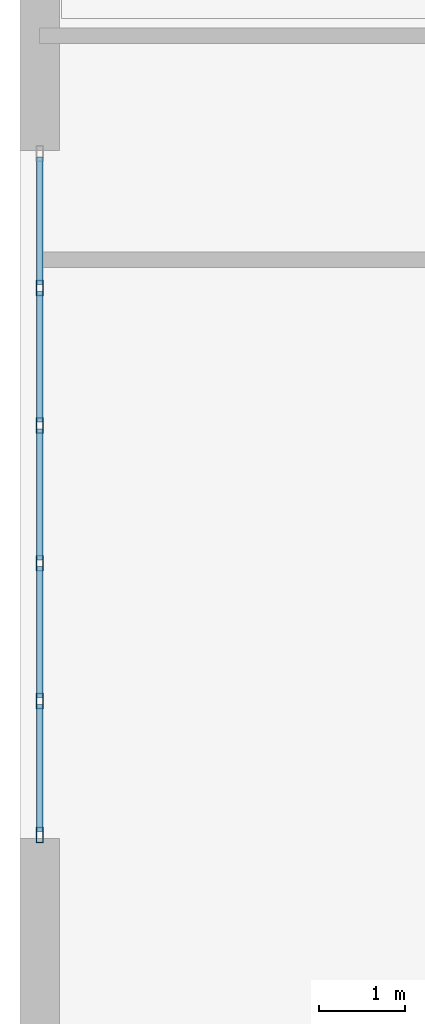
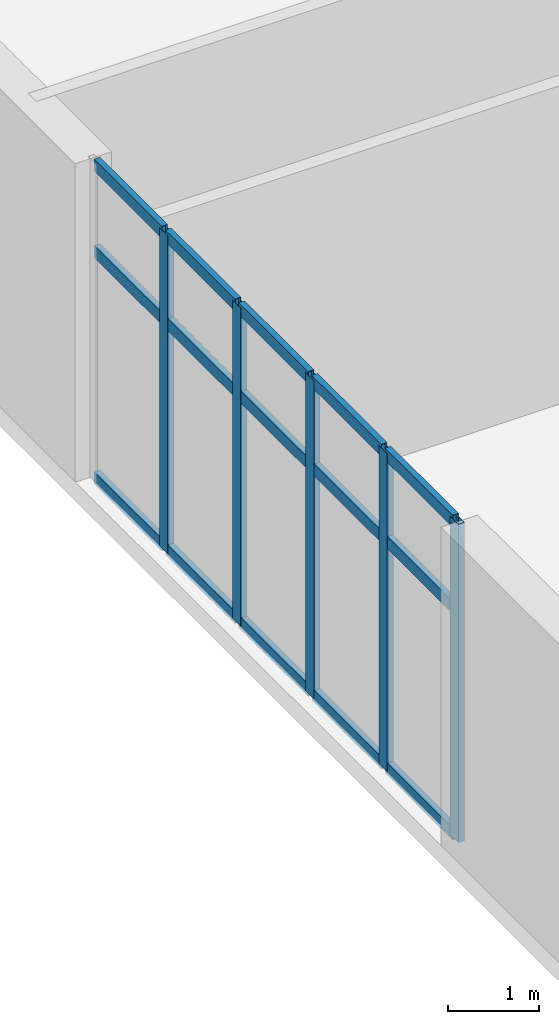
# One storey, part 6 of 29: 20 members, 1 element without a shape of its own.
"""IFC4 building model written with IfcOpenShell, lengths in metres."""

from ifc_helpers import new_model, si_unit, direction, frame, origin, origin_2d, place, context, subcontext, project, spatial, hollow_rectangle, extrude, source, transform, mapped, material, layer, layer_set, material_profile, profile_set, type_object, element, aggregate, save


model = new_model("IFC4")

# Units and contexts
model_context = context("Model", 3, precision=1e-05, world=origin(), true_north=direction((0.0, 1.0)))
body_context = subcontext(model_context, "Body", "Model", "MODEL_VIEW")
ifc_project = project(units=[si_unit("LENGTHUNIT", "METRE"), si_unit("AREAUNIT", "SQUARE_METRE"), si_unit("VOLUMEUNIT", "CUBIC_METRE"), si_unit("PLANEANGLEUNIT", "RADIAN"), si_unit("MASSUNIT", "GRAM", prefix="KILO")], contexts=[model_context])

# Site, building, storey
site_placement = place(None, origin())
site = spatial("IfcSite", under=ifc_project, at=site_placement, CompositionType="ELEMENT")
building_placement = place(site_placement, origin())
building = spatial("IfcBuilding", under=site, at=building_placement, Name="Liaohun Quay Tower", CompositionType="ELEMENT")
storey_placement = place(building_placement, frame((0.0, 0.0, 5.39990234375)))
storey = spatial("IfcBuildingStorey", under=building, at=storey_placement, Name="L02", CompositionType="ELEMENT", Elevation=5.39990234375)

# Curtain wall, members
ifc_material_1 = material(Name="Thermally broken podium arcade storefront curtain wall")
ifc_layer = layer(ifc_material_1, 0.179931640625, Name="Thermally broken podium arcade storefront curtain wall")
ifc_layer_set = layer_set([ifc_layer], Name="Thermally broken podium arcade storefront curtain wall")
curtain_wall_type = type_object("IfcCurtainWallType", Name="CW-POD-RET", PredefinedType="NOTDEFINED", material=ifc_layer_set)
curtain_wall_placement = place(storey_placement, origin())
curtain_wall = element("IfcCurtainWall", 1, at=curtain_wall_placement, inside=storey, type_object=curtain_wall_type, Name="L02 Podium Arcade Storefront CW2-W2", PredefinedType="NOTDEFINED")
ifc_material_2 = material(Name="Anodised aluminium 6063-T6", Category="aluminium")
ifc_material_profile_1 = material_profile(ifc_material_2, hollow_rectangle(XDim=0.074951171875, YDim=0.159912109375, WallThickness=0.0048828125, at=origin_2d()), Name="RHS160x75x5")
ifc_profile_set_1 = profile_set([ifc_material_profile_1], Name="Anodised aluminium 6063-T6")
member_type_1 = type_object("IfcMemberType", Name="MEM-CWT-POD", PredefinedType="USERDEFINED", material=ifc_profile_set_1)
shared_shape_1 = source(origin(), body_context, "Body", "SweptSolid", [
    extrude(hollow_rectangle(XDim=0.074951171875, YDim=0.159912109375, WallThickness=0.0048828125, at=origin_2d()), origin(), (0.0, 0.0, 1.0), 1.47998046875),
])
member_1_placement = place(storey_placement, frame((15.22998046875, 44.68994140625, 0.03759765625), z_axis=(0.0, -1.0, 0.0), x_axis=(1.0, 0.0, 0.0)))
member_1 = element("IfcMember", 2, at=member_1_placement, type_object=member_type_1, Name="CW2 transom 1.1", ObjectType="TRANSOM", PredefinedType="USERDEFINED", context=body_context, shape_type="MappedRepresentation", body=[
    mapped(shared_shape_1, transform((0.0, 0.0, 0.0), x_axis=(1.0, 0.0, 0.0), y_axis=(0.0, 1.0, 0.0), z_axis=(0.0, 0.0, 1.0), scale=1.0)),
])
member_2_placement = place(storey_placement, frame((15.22998046875, 44.68994140625, 3.06005859375), z_axis=(0.0, -1.0, 0.0), x_axis=(1.0, 0.0, 0.0)))
member_2 = element("IfcMember", 3, at=member_2_placement, type_object=member_type_1, Name="CW2 transom 1.2", ObjectType="TRANSOM", PredefinedType="USERDEFINED", context=body_context, shape_type="MappedRepresentation", body=[
    mapped(shared_shape_1, transform((0.0, 0.0, 0.0), x_axis=(1.0, 0.0, 0.0), y_axis=(0.0, 1.0, 0.0), z_axis=(0.0, 0.0, 1.0), scale=1.0)),
])
member_3_placement = place(storey_placement, frame((15.22998046875, 44.68994140625, 4.212646484375), z_axis=(0.0, -1.0, 0.0), x_axis=(1.0, 0.0, 0.0)))
member_3 = element("IfcMember", 4, at=member_3_placement, type_object=member_type_1, Name="CW2 transom 1.3", ObjectType="TRANSOM", PredefinedType="USERDEFINED", context=body_context, shape_type="MappedRepresentation", body=[
    mapped(shared_shape_1, transform((0.0, 0.0, 0.0), x_axis=(1.0, 0.0, 0.0), y_axis=(0.0, 1.0, 0.0), z_axis=(0.0, 0.0, 1.0), scale=1.0)),
])
member_4_placement = place(storey_placement, frame((15.22998046875, 38.330078125, 0.03759765625), z_axis=(0.0, -1.0, 0.0), x_axis=(1.0, 0.0, 0.0)))
member_4 = element("IfcMember", 5, at=member_4_placement, type_object=member_type_1, Name="CW2 transom 5.1", ObjectType="TRANSOM", PredefinedType="USERDEFINED", context=body_context, shape_type="MappedRepresentation", body=[
    mapped(shared_shape_1, transform((0.0, 0.0, 0.0), x_axis=(1.0, 0.0, 0.0), y_axis=(0.0, 1.0, 0.0), z_axis=(0.0, 0.0, 1.0), scale=1.0)),
])
member_5_placement = place(storey_placement, frame((15.22998046875, 38.330078125, 3.06005859375), z_axis=(0.0, -1.0, 0.0), x_axis=(1.0, 0.0, 0.0)))
member_5 = element("IfcMember", 6, at=member_5_placement, type_object=member_type_1, Name="CW2 transom 5.2", ObjectType="TRANSOM", PredefinedType="USERDEFINED", context=body_context, shape_type="MappedRepresentation", body=[
    mapped(shared_shape_1, transform((0.0, 0.0, 0.0), x_axis=(1.0, 0.0, 0.0), y_axis=(0.0, 1.0, 0.0), z_axis=(0.0, 0.0, 1.0), scale=1.0)),
])
member_6_placement = place(storey_placement, frame((15.22998046875, 38.330078125, 4.212646484375), z_axis=(0.0, -1.0, 0.0), x_axis=(1.0, 0.0, 0.0)))
member_6 = element("IfcMember", 7, at=member_6_placement, type_object=member_type_1, Name="CW2 transom 5.3", ObjectType="TRANSOM", PredefinedType="USERDEFINED", context=body_context, shape_type="MappedRepresentation", body=[
    mapped(shared_shape_1, transform((0.0, 0.0, 0.0), x_axis=(1.0, 0.0, 0.0), y_axis=(0.0, 1.0, 0.0), z_axis=(0.0, 0.0, 1.0), scale=1.0)),
])
shared_shape_2 = source(origin(), body_context, "Body", "SweptSolid", [
    extrude(hollow_rectangle(XDim=0.074951171875, YDim=0.159912109375, WallThickness=0.0048828125, at=origin_2d()), origin(), (0.0, 0.0, 1.0), 1.519775390625),
])
member_7_placement = place(storey_placement, frame((15.22998046875, 43.1298828125, 0.03759765625), z_axis=(0.0, -1.0, 0.0), x_axis=(1.0, 0.0, 0.0)))
member_7 = element("IfcMember", 8, at=member_7_placement, type_object=member_type_1, Name="CW2 transom 2.1", ObjectType="TRANSOM", PredefinedType="USERDEFINED", context=body_context, shape_type="MappedRepresentation", body=[
    mapped(shared_shape_2, transform((0.0, 0.0, 0.0), x_axis=(1.0, 0.0, 0.0), y_axis=(0.0, 1.0, 0.0), z_axis=(0.0, 0.0, 1.0), scale=1.0)),
])
member_8_placement = place(storey_placement, frame((15.22998046875, 43.1298828125, 3.06005859375), z_axis=(0.0, -1.0, 0.0), x_axis=(1.0, 0.0, 0.0)))
member_8 = element("IfcMember", 9, at=member_8_placement, type_object=member_type_1, Name="CW2 transom 2.2", ObjectType="TRANSOM", PredefinedType="USERDEFINED", context=body_context, shape_type="MappedRepresentation", body=[
    mapped(shared_shape_2, transform((0.0, 0.0, 0.0), x_axis=(1.0, 0.0, 0.0), y_axis=(0.0, 1.0, 0.0), z_axis=(0.0, 0.0, 1.0), scale=1.0)),
])
member_9_placement = place(storey_placement, frame((15.22998046875, 43.1298828125, 4.212646484375), z_axis=(0.0, -1.0, 0.0), x_axis=(1.0, 0.0, 0.0)))
member_9 = element("IfcMember", 10, at=member_9_placement, type_object=member_type_1, Name="CW2 transom 2.3", ObjectType="TRANSOM", PredefinedType="USERDEFINED", context=body_context, shape_type="MappedRepresentation", body=[
    mapped(shared_shape_2, transform((0.0, 0.0, 0.0), x_axis=(1.0, 0.0, 0.0), y_axis=(0.0, 1.0, 0.0), z_axis=(0.0, 0.0, 1.0), scale=1.0)),
])
shared_shape_3 = source(origin(), body_context, "Body", "SweptSolid", [
    extrude(hollow_rectangle(XDim=0.074951171875, YDim=0.159912109375, WallThickness=0.0048828125, at=origin_2d()), origin(), (0.0, 0.0, 1.0), 1.52001953125),
])
member_10_placement = place(storey_placement, frame((15.22998046875, 41.530029296875, 0.03759765625), z_axis=(0.0, -1.0, 0.0), x_axis=(1.0, 0.0, 0.0)))
member_10 = element("IfcMember", 11, at=member_10_placement, type_object=member_type_1, Name="CW2 transom 3.1", ObjectType="TRANSOM", PredefinedType="USERDEFINED", context=body_context, shape_type="MappedRepresentation", body=[
    mapped(shared_shape_3, transform((0.0, 0.0, 0.0), x_axis=(1.0, 0.0, 0.0), y_axis=(0.0, 1.0, 0.0), z_axis=(0.0, 0.0, 1.0), scale=1.0)),
])
member_11_placement = place(storey_placement, frame((15.22998046875, 41.530029296875, 3.06005859375), z_axis=(0.0, -1.0, 0.0), x_axis=(1.0, 0.0, 0.0)))
member_11 = element("IfcMember", 12, at=member_11_placement, type_object=member_type_1, Name="CW2 transom 3.2", ObjectType="TRANSOM", PredefinedType="USERDEFINED", context=body_context, shape_type="MappedRepresentation", body=[
    mapped(shared_shape_3, transform((0.0, 0.0, 0.0), x_axis=(1.0, 0.0, 0.0), y_axis=(0.0, 1.0, 0.0), z_axis=(0.0, 0.0, 1.0), scale=1.0)),
])
member_12_placement = place(storey_placement, frame((15.22998046875, 41.530029296875, 4.212646484375), z_axis=(0.0, -1.0, 0.0), x_axis=(1.0, 0.0, 0.0)))
member_12 = element("IfcMember", 13, at=member_12_placement, type_object=member_type_1, Name="CW2 transom 3.3", ObjectType="TRANSOM", PredefinedType="USERDEFINED", context=body_context, shape_type="MappedRepresentation", body=[
    mapped(shared_shape_3, transform((0.0, 0.0, 0.0), x_axis=(1.0, 0.0, 0.0), y_axis=(0.0, 1.0, 0.0), z_axis=(0.0, 0.0, 1.0), scale=1.0)),
])
member_13_placement = place(storey_placement, frame((15.22998046875, 39.929931640625, 0.03759765625), z_axis=(0.0, -1.0, 0.0), x_axis=(1.0, 0.0, 0.0)))
member_13 = element("IfcMember", 14, at=member_13_placement, type_object=member_type_1, Name="CW2 transom 4.1", ObjectType="TRANSOM", PredefinedType="USERDEFINED", context=body_context, shape_type="MappedRepresentation", body=[
    mapped(shared_shape_3, transform((0.0, 0.0, 0.0), x_axis=(1.0, 0.0, 0.0), y_axis=(0.0, 1.0, 0.0), z_axis=(0.0, 0.0, 1.0), scale=1.0)),
])
member_14_placement = place(storey_placement, frame((15.22998046875, 39.929931640625, 3.06005859375), z_axis=(0.0, -1.0, 0.0), x_axis=(1.0, 0.0, 0.0)))
member_14 = element("IfcMember", 15, at=member_14_placement, type_object=member_type_1, Name="CW2 transom 4.2", ObjectType="TRANSOM", PredefinedType="USERDEFINED", context=body_context, shape_type="MappedRepresentation", body=[
    mapped(shared_shape_3, transform((0.0, 0.0, 0.0), x_axis=(1.0, 0.0, 0.0), y_axis=(0.0, 1.0, 0.0), z_axis=(0.0, 0.0, 1.0), scale=1.0)),
])
member_15_placement = place(storey_placement, frame((15.22998046875, 39.929931640625, 4.212646484375), z_axis=(0.0, -1.0, 0.0), x_axis=(1.0, 0.0, 0.0)))
member_15 = element("IfcMember", 16, at=member_15_placement, type_object=member_type_1, Name="CW2 transom 4.3", ObjectType="TRANSOM", PredefinedType="USERDEFINED", context=body_context, shape_type="MappedRepresentation", body=[
    mapped(shared_shape_3, transform((0.0, 0.0, 0.0), x_axis=(1.0, 0.0, 0.0), y_axis=(0.0, 1.0, 0.0), z_axis=(0.0, 0.0, 1.0), scale=1.0)),
])
ifc_material_profile_2 = material_profile(ifc_material_2, hollow_rectangle(XDim=0.080078125, YDim=0.179931640625, WallThickness=0.0048828125, at=origin_2d()), Name="RHS180x80x5")
ifc_profile_set_2 = profile_set([ifc_material_profile_2], Name="Anodised aluminium 6063-T6")
member_type_2 = type_object("IfcMemberType", Name="MEM-CWM-POD", PredefinedType="MULLION", material=ifc_profile_set_2)
shared_shape_4 = source(origin(), body_context, "Body", "SweptSolid", [
    extrude(hollow_rectangle(XDim=0.080078125, YDim=0.179931640625, WallThickness=0.0048828125, at=origin_2d()), origin(), (0.0, 0.0, 1.0), 4.25),
])
member_16_placement = place(storey_placement, frame((15.22998046875, 43.169921875, 0.0), z_axis=(0.0, 0.0, 1.0), x_axis=(1.0, 0.0, 0.0)))
member_16 = element("IfcMember", 17, at=member_16_placement, type_object=member_type_2, Name="CW2 mullion 2", PredefinedType="MULLION", context=body_context, shape_type="MappedRepresentation", body=[
    mapped(shared_shape_4, transform((0.0, 0.0, 0.0), x_axis=(1.0, 0.0, 0.0), y_axis=(0.0, 1.0, 0.0), z_axis=(0.0, 0.0, 1.0), scale=1.0)),
])
member_17_placement = place(storey_placement, frame((15.22998046875, 41.570068359375, 0.0), z_axis=(0.0, 0.0, 1.0), x_axis=(1.0, 0.0, 0.0)))
member_17 = element("IfcMember", 18, at=member_17_placement, type_object=member_type_2, Name="CW2 mullion 3", PredefinedType="MULLION", context=body_context, shape_type="MappedRepresentation", body=[
    mapped(shared_shape_4, transform((0.0, 0.0, 0.0), x_axis=(1.0, 0.0, 0.0), y_axis=(0.0, 1.0, 0.0), z_axis=(0.0, 0.0, 1.0), scale=1.0)),
])
member_18_placement = place(storey_placement, frame((15.22998046875, 39.969970703125, 0.0), z_axis=(0.0, 0.0, 1.0), x_axis=(1.0, 0.0, 0.0)))
member_18 = element("IfcMember", 19, at=member_18_placement, type_object=member_type_2, Name="CW2 mullion 4", PredefinedType="MULLION", context=body_context, shape_type="MappedRepresentation", body=[
    mapped(shared_shape_4, transform((0.0, 0.0, 0.0), x_axis=(1.0, 0.0, 0.0), y_axis=(0.0, 1.0, 0.0), z_axis=(0.0, 0.0, 1.0), scale=1.0)),
])
member_19_placement = place(storey_placement, frame((15.22998046875, 38.3701171875, 0.0), z_axis=(0.0, 0.0, 1.0), x_axis=(1.0, 0.0, 0.0)))
member_19 = element("IfcMember", 20, at=member_19_placement, type_object=member_type_2, Name="CW2 mullion 5", PredefinedType="MULLION", context=body_context, shape_type="MappedRepresentation", body=[
    mapped(shared_shape_4, transform((0.0, 0.0, 0.0), x_axis=(1.0, 0.0, 0.0), y_axis=(0.0, 1.0, 0.0), z_axis=(0.0, 0.0, 1.0), scale=1.0)),
])
member_20_placement = place(storey_placement, frame((15.22998046875, 36.81005859375, 0.0), z_axis=(0.0, 0.0, 1.0), x_axis=(1.0, 0.0, 0.0)))
member_20 = element("IfcMember", 21, at=member_20_placement, type_object=member_type_2, Name="CW2 mullion 6", PredefinedType="MULLION", context=body_context, shape_type="MappedRepresentation", body=[
    mapped(shared_shape_4, transform((0.0, 0.0, 0.0), x_axis=(1.0, 0.0, 0.0), y_axis=(0.0, 1.0, 0.0), z_axis=(0.0, 0.0, 1.0), scale=1.0)),
])
aggregate(curtain_wall, [member_16, member_17, member_18, member_19, member_20, member_1, member_2, member_3, member_7, member_8, member_9, member_10, member_11, member_12, member_13, member_14, member_15, member_4, member_5, member_6])

save(model, "model.ifc")
